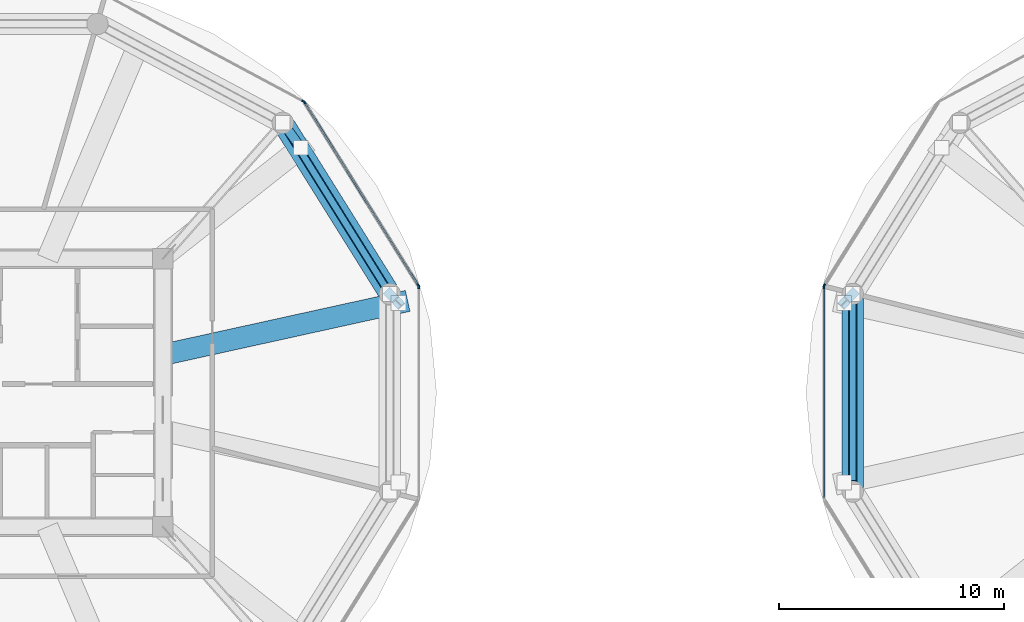
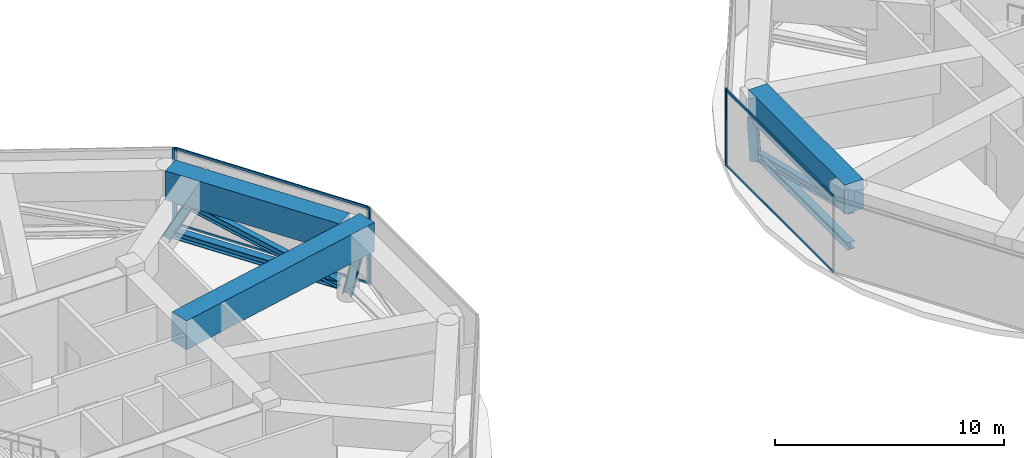
# One storey, part 7 of 22: 17 members, 3 beams, 5 elements without a shape of their own.
"""IFC4 building model written with IfcOpenShell, lengths in metres."""

from ifc_helpers import new_model, si_unit, direction, frame, origin, origin_2d, place, context, subcontext, project, spatial, rectangle, i_section, extrude, source, transform, mapped, material, layer, layer_set, material_profile, profile_set, type_object, type_shapes, element, aggregate, save


model = new_model("IFC4")

# Units and contexts
model_context = context("Model", 3, precision=1e-05, world=origin(), true_north=direction((0.0, 1.0)))
body_context = subcontext(model_context, "Body", "Model", "MODEL_VIEW")
ifc_project = project(units=[si_unit("LENGTHUNIT", "METRE"), si_unit("AREAUNIT", "SQUARE_METRE"), si_unit("VOLUMEUNIT", "CUBIC_METRE"), si_unit("PLANEANGLEUNIT", "RADIAN"), si_unit("MASSUNIT", "GRAM", prefix="KILO")], contexts=[model_context])

# Site, building, storey
site_placement = place(None, origin())
site = spatial("IfcSite", under=ifc_project, at=site_placement, CompositionType="ELEMENT")
building_placement = place(site_placement, origin())
building = spatial("IfcBuilding", under=site, at=building_placement, Name="Norrkilde Senior Care Towers", CompositionType="ELEMENT")
storey_placement = place(building_placement, frame((0.0, 0.0, 73.449951171875)))
storey = spatial("IfcBuildingStorey", under=building, at=storey_placement, Name="L22", CompositionType="ELEMENT", Elevation=73.449951171875)

# Beams
ifc_material_1 = material(Name="Concrete C60/75", Category="concrete")
ifc_material_profile_1 = material_profile(ifc_material_1, rectangle(XDim=0.949951171875, YDim=1.550048828125, at=origin_2d()), Name="RC TG 950x1550")
ifc_profile_set_1 = profile_set([ifc_material_profile_1], Name="Concrete C60/75")
beam_type = type_object("IfcBeamType", Name="Transfer Girder Zone Shift 950x1550", PredefinedType="USERDEFINED", material=ifc_profile_set_1)
shared_shape_1 = source(origin(), body_context, "Body", "SweptSolid", [
    extrude(rectangle(XDim=0.949951171875, YDim=1.550048828125, at=origin_2d()), origin(), (0.0, 0.0, 1.0), 8.6005859375),
])
beam_1_placement = place(storey_placement, frame((-10.37060546875, 4.53955078125, 3.304931640625), z_axis=(-0.53002700696, 0.847980761511, 0.0), x_axis=(-0.847980761511, -0.53002700696, 0.0)))
element("IfcBeam", 1, at=beam_1_placement, inside=storey, type_object=beam_type, Name="L22 Drum W Zone Ring Transfer Girder 01", ObjectType="GIRDER", PredefinedType="USERDEFINED", context=body_context, shape_type="MappedRepresentation", body=[
    mapped(shared_shape_1, transform((0.0, 0.0, 0.0), x_axis=(1.0, 0.0, 0.0), y_axis=(0.0, 1.0, 0.0), z_axis=(0.0, 0.0, 1.0), scale=1.0)),
])
shared_shape_2 = source(origin(), body_context, "Body", "SweptSolid", [
    extrude(rectangle(XDim=0.949951171875, YDim=1.550048828125, at=origin_2d()), origin(), (0.0, 0.0, 1.0), 8.4140625),
])
beam_2_placement = place(storey_placement, frame((10.275146484375, 4.20703125, 3.304931640625), z_axis=(0.0, -1.0, 0.0), x_axis=(1.0, 0.0, 0.0)))
element("IfcBeam", 2, at=beam_2_placement, inside=storey, type_object=beam_type, Name="L22 Drum E Zone Ring Transfer Girder 06", ObjectType="GIRDER", PredefinedType="USERDEFINED", context=body_context, shape_type="MappedRepresentation", body=[
    mapped(shared_shape_2, transform((0.0, 0.0, 0.0), x_axis=(1.0, 0.0, 0.0), y_axis=(0.0, 1.0, 0.0), z_axis=(0.0, 0.0, 1.0), scale=1.0)),
])
shared_shape_3 = source(origin(), body_context, "Body", "SweptSolid", [
    extrude(rectangle(XDim=0.949951171875, YDim=1.550048828125, at=origin_2d()), origin(), (0.0, 0.0, 1.0), 11.12939453125),
])
type_shapes(beam_type, [shared_shape_1, shared_shape_2, shared_shape_3])
beam_3_placement = place(storey_placement, frame((-20.35009765625, 1.683837890625, 3.304931640625), z_axis=(0.976618681418, 0.214978955029, 0.0), x_axis=(-0.214978955029, 0.976618681418, 0.0)))
element("IfcBeam", 3, at=beam_3_placement, inside=storey, type_object=beam_type, Name="L22 Drum W Zone Transfer Girder 01", ObjectType="GIRDER", PredefinedType="USERDEFINED", context=body_context, shape_type="MappedRepresentation", body=[
    mapped(shared_shape_3, transform((0.0, 0.0, 0.0), x_axis=(1.0, 0.0, 0.0), y_axis=(0.0, 1.0, 0.0), z_axis=(0.0, 0.0, 1.0), scale=1.0)),
])

# Members
ifc_material_2 = material(Name="Steel S355", Category="steel")
ifc_material_profile_2 = material_profile(ifc_material_2, i_section(OverallWidth=0.412109375, OverallDepth=0.449951171875, WebThickness=0.028076171875, FlangeThickness=0.044921875, FilletRadius=0.014892578125, at=origin_2d()), Name="HD 400x509")
ifc_profile_set_2 = profile_set([ifc_material_profile_2], Name="Steel S355")
member_type_1 = type_object("IfcMemberType", Name="Pratt Bridge Truss Diagonal HD400x509", PredefinedType="BRACE", material=ifc_profile_set_2)
shared_shape_4 = source(origin(), body_context, "Body", "SweptSolid", [
    extrude(i_section(OverallWidth=0.412109375, OverallDepth=0.449951171875, WebThickness=0.028076171875, FlangeThickness=0.044921875, FilletRadius=0.014892578125, at=origin_2d()), origin(), (0.0, 0.0, 1.0), 2.73681640625),
])
for number, where, z_axis, x_axis, name in (
    (4, (-10.275146484375, 4.386962890625, 0.150146484375), (0.140320627071, -0.146475823045, 0.979211394379), (0.722116345389, 0.691771626855, 0.0), "L22 Drum W Zone Transfer Raking Strut 01"),
    (5, (10.275146484375, 4.386962890625, 0.150146484375), (-0.140320627071, -0.146475823045, 0.979211394379), (0.722116345389, -0.691771626855, 0.0), "L22 Drum E Zone Transfer Raking Strut 06"),
):
    element("IfcMember", number, at=place(storey_placement, frame(where, z_axis=z_axis, x_axis=x_axis)), inside=storey, type_object=member_type_1, Name=name, PredefinedType="BRACE", context=body_context, shape_type="MappedRepresentation", body=[
        mapped(shared_shape_4, transform((0.0, 0.0, 0.0), x_axis=(1.0, 0.0, 0.0), y_axis=(0.0, 1.0, 0.0), z_axis=(0.0, 0.0, 1.0), scale=1.0)),
    ])
shared_shape_5 = source(origin(), body_context, "Body", "SweptSolid", [
    extrude(i_section(OverallWidth=0.412109375, OverallDepth=0.449951171875, WebThickness=0.028076171875, FlangeThickness=0.044921875, FilletRadius=0.014892578125, at=origin_2d()), origin(), (0.0, 0.0, 1.0), 3.0087890625),
])
type_shapes(member_type_1, [shared_shape_4, shared_shape_5])
member_1_placement = place(storey_placement, frame((-15.024658203125, 11.9853515625, 0.150146484375), z_axis=(0.266304591803, -0.368461045514, 0.890684187758), x_axis=(0.810476806317, 0.585770728547, 0.0)))
element("IfcMember", 6, at=member_1_placement, inside=storey, type_object=member_type_1, Name="L22 Drum W Zone Transfer Raking Strut 02", PredefinedType="BRACE", context=body_context, shape_type="MappedRepresentation", body=[
    mapped(shared_shape_5, transform((0.0, 0.0, 0.0), x_axis=(1.0, 0.0, 0.0), y_axis=(0.0, 1.0, 0.0), z_axis=(0.0, 0.0, 1.0), scale=1.0)),
])
ifc_material_profile_3 = material_profile(ifc_material_2, i_section(OverallWidth=0.3740234375, OverallDepth=0.386962890625, WebThickness=0.01611328125, FlangeThickness=0.027099609375, FilletRadius=0.014892578125, at=origin_2d()), Name="HD 360x262")
ifc_profile_set_3 = profile_set([ifc_material_profile_3], Name="Steel S355")
member_type_2 = type_object("IfcMemberType", Name="Belt Truss Ring Chord HD360x262", PredefinedType="CHORD", material=ifc_profile_set_3)
shared_shape_6 = source(origin(), body_context, "Body", "SweptSolid", [
    extrude(i_section(OverallWidth=0.3740234375, OverallDepth=0.386962890625, WebThickness=0.01611328125, FlangeThickness=0.027099609375, FilletRadius=0.014892578125, at=origin_2d()), origin(), (0.0, 0.0, 1.0), 8.090576171875),
])
member_2_placement = place(storey_placement, frame((-10.505859375, 4.755859375, 0.550048828125), z_axis=(-0.530004364821, 0.84799491347, 0.0), x_axis=(-0.84799491347, -0.530004364821, 0.0)))
element("IfcMember", 7, at=member_2_placement, inside=storey, type_object=member_type_2, Name="L22 Drum W Belt Truss Bottom Chord 01", PredefinedType="CHORD", context=body_context, shape_type="MappedRepresentation", body=[
    mapped(shared_shape_6, transform((0.0, 0.0, 0.0), x_axis=(1.0, 0.0, 0.0), y_axis=(0.0, 1.0, 0.0), z_axis=(0.0, 0.0, 1.0), scale=1.0)),
])
ifc_material_profile_4 = material_profile(ifc_material_2, i_section(OverallWidth=0.300048828125, OverallDepth=0.39990234375, WebThickness=0.013427734375, FlangeThickness=0.02392578125, FilletRadius=0.027099609375, at=origin_2d()), Name="HEB 400")
ifc_profile_set_4 = profile_set([ifc_material_profile_4], Name="Steel S355")
member_type_3 = type_object("IfcMemberType", Name="Belt Truss Diagonal HEB400", PredefinedType="BRACE", material=ifc_profile_set_4)
shared_shape_7 = source(origin(), body_context, "Body", "SweptSolid", [
    extrude(i_section(OverallWidth=0.300048828125, OverallDepth=0.39990234375, WebThickness=0.013427734375, FlangeThickness=0.02392578125, FilletRadius=0.027099609375, at=origin_2d()), origin(), (0.0, 0.0, 1.0), 8.317626953125),
])
member_3_placement = place(storey_placement, frame((-10.505859375, 4.755859375, 0.550048828125), z_axis=(-0.515540041994, 0.824852326355, 0.232028241401), x_axis=(-0.84799491347, -0.530004364821, 0.0)))
element("IfcMember", 8, at=member_3_placement, inside=storey, type_object=member_type_3, Name="L22 Drum W Belt Truss Diagonal 01", PredefinedType="BRACE", context=body_context, shape_type="MappedRepresentation", body=[
    mapped(shared_shape_7, transform((0.0, 0.0, 0.0), x_axis=(1.0, 0.0, 0.0), y_axis=(0.0, 1.0, 0.0), z_axis=(0.0, 0.0, 1.0), scale=1.0)),
])
shared_shape_8 = source(origin(), body_context, "Body", "SweptSolid", [
    extrude(i_section(OverallWidth=0.3740234375, OverallDepth=0.386962890625, WebThickness=0.01611328125, FlangeThickness=0.027099609375, FilletRadius=0.014892578125, at=origin_2d()), origin(), (0.0, 0.0, 1.0), 7.90380859375),
])
type_shapes(member_type_2, [shared_shape_6, shared_shape_8])
member_4_placement = place(storey_placement, frame((10.275146484375, 3.951904296875, 0.550048828125), z_axis=(0.0, -1.0, 0.0), x_axis=(1.0, 0.0, 0.0)))
element("IfcMember", 9, at=member_4_placement, inside=storey, type_object=member_type_2, Name="L22 Drum E Belt Truss Bottom Chord 06", PredefinedType="CHORD", context=body_context, shape_type="MappedRepresentation", body=[
    mapped(shared_shape_8, transform((0.0, 0.0, 0.0), x_axis=(1.0, 0.0, 0.0), y_axis=(0.0, 1.0, 0.0), z_axis=(0.0, 0.0, 1.0), scale=1.0)),
])
shared_shape_9 = source(origin(), body_context, "Body", "SweptSolid", [
    extrude(i_section(OverallWidth=0.300048828125, OverallDepth=0.39990234375, WebThickness=0.013427734375, FlangeThickness=0.02392578125, FilletRadius=0.027099609375, at=origin_2d()), origin(), (0.0, 0.0, 1.0), 8.135986328125),
])
type_shapes(member_type_3, [shared_shape_7, shared_shape_9])
member_5_placement = place(storey_placement, frame((10.275146484375, 3.951904296875, 0.550048828125), z_axis=(0.0, -0.971458808633, 0.237208311677), x_axis=(1.0, 0.0, 0.0)))
element("IfcMember", 10, at=member_5_placement, inside=storey, type_object=member_type_3, Name="L22 Drum E Belt Truss Diagonal 06", PredefinedType="BRACE", context=body_context, shape_type="MappedRepresentation", body=[
    mapped(shared_shape_9, transform((0.0, 0.0, 0.0), x_axis=(1.0, 0.0, 0.0), y_axis=(0.0, 1.0, 0.0), z_axis=(0.0, 0.0, 1.0), scale=1.0)),
])

# Curtain wall, members
ifc_material_3 = material(Name="Triple Low-E Insulated Glazing", Category="glass")
ifc_layer = layer(ifc_material_3, 0.18505859375)
ifc_layer_set = layer_set([ifc_layer], Name="Triple Low-E Insulated Glazing")
curtain_wall_type = type_object("IfcCurtainWallType", Name="CW6 Zone 4 Crown Pavilion Curtain Wall", PredefinedType="NOTDEFINED", material=ifc_layer_set)
curtain_wall_1_placement = place(storey_placement, origin())
curtain_wall_1 = element("IfcCurtainWall", 11, at=curtain_wall_1_placement, inside=storey, type_object=curtain_wall_type, Name="L22 Drum W Curtain Wall 00", PredefinedType="NOTDEFINED")
ifc_material_4 = material(Name="Anodised Aluminium", Category="aluminium")
ifc_material_profile_5 = material_profile(ifc_material_4, rectangle(XDim=0.070068359375, YDim=0.169921875, at=origin_2d()), Name="ALU MULL 70x170")
ifc_profile_set_5 = profile_set([ifc_material_profile_5], Name="Anodised Aluminium")
member_type_4 = type_object("IfcMemberType", Name="Curtain Wall Mullion Heavy 70x170", PredefinedType="MULLION", material=ifc_profile_set_5)
shared_shape_10 = source(origin(), body_context, "Body", "SweptSolid", [
    extrude(rectangle(XDim=0.070068359375, YDim=0.169921875, at=origin_2d()), origin(), (0.0, 0.0, 1.0), 4.080078125),
])
type_shapes(member_type_4, [shared_shape_10])
member_6_placement = place(storey_placement, frame((-14.065673828125, 12.896240234375, 0.0), z_axis=(0.0, 0.0, 1.0), x_axis=(0.849305943117, 0.527900951871, 0.0)))
member_6 = element("IfcMember", 12, at=member_6_placement, type_object=member_type_4, Name="CW-6 mullion 1", PredefinedType="MULLION", context=body_context, shape_type="MappedRepresentation", body=[
    mapped(shared_shape_10, transform((0.0, 0.0, 0.0), x_axis=(1.0, 0.0, 0.0), y_axis=(0.0, 1.0, 0.0), z_axis=(0.0, 0.0, 1.0), scale=1.0)),
])
member_7_placement = place(storey_placement, frame((-9.009033203125, 4.760986328125, 0.0), z_axis=(0.0, 0.0, 1.0), x_axis=(0.849305943117, 0.527900951871, 0.0)))
member_7 = element("IfcMember", 13, at=member_7_placement, type_object=member_type_4, Name="CW-6 mullion 2", PredefinedType="MULLION", context=body_context, shape_type="MappedRepresentation", body=[
    mapped(shared_shape_10, transform((0.0, 0.0, 0.0), x_axis=(1.0, 0.0, 0.0), y_axis=(0.0, 1.0, 0.0), z_axis=(0.0, 0.0, 1.0), scale=1.0)),
])

# Curtain wall, member
curtain_wall_2_placement = place(storey_placement, origin())
curtain_wall_2 = element("IfcCurtainWall", 14, at=curtain_wall_2_placement, inside=storey, type_object=curtain_wall_type, Name="L22 Drum W Curtain Wall 01", PredefinedType="NOTDEFINED")
member_8_placement = place(storey_placement, frame((-14.114990234375, 12.9423828125, 0.0), z_axis=(0.0, 0.0, 1.0), x_axis=(0.472607802456, 0.881272866403, 0.0)))
member_8 = element("IfcMember", 15, at=member_8_placement, type_object=member_type_4, Name="CW-6 mullion 2", PredefinedType="MULLION", context=body_context, shape_type="MappedRepresentation", body=[
    mapped(shared_shape_10, transform((0.0, 0.0, 0.0), x_axis=(1.0, 0.0, 0.0), y_axis=(0.0, 1.0, 0.0), z_axis=(0.0, 0.0, 1.0), scale=1.0)),
])
aggregate(curtain_wall_2, [member_8])

curtain_wall_3_placement = place(storey_placement, origin())
curtain_wall_3 = element("IfcCurtainWall", 16, at=curtain_wall_3_placement, inside=storey, type_object=curtain_wall_type, Name="L22 Drum W Curtain Wall 11", PredefinedType="NOTDEFINED")
member_9_placement = place(storey_placement, frame((-8.990478515625, 4.6962890625, 0.0), z_axis=(0.0, 0.0, 1.0), x_axis=(1.0, 0.0, 0.0)))
member_9 = element("IfcMember", 17, at=member_9_placement, type_object=member_type_4, Name="CW-6 mullion 1", PredefinedType="MULLION", context=body_context, shape_type="MappedRepresentation", body=[
    mapped(shared_shape_10, transform((0.0, 0.0, 0.0), x_axis=(1.0, 0.0, 0.0), y_axis=(0.0, 1.0, 0.0), z_axis=(0.0, 0.0, 1.0), scale=1.0)),
])
aggregate(curtain_wall_3, [member_9])

curtain_wall_4_placement = place(storey_placement, origin())
curtain_wall_4 = element("IfcCurtainWall", 18, at=curtain_wall_4_placement, inside=storey, type_object=curtain_wall_type, Name="L22 Drum E Curtain Wall 04", PredefinedType="NOTDEFINED")
member_10_placement = place(storey_placement, frame((9.009033203125, 4.760986328125, 0.0), z_axis=(0.0, 0.0, 1.0), x_axis=(-0.849305943117, 0.527900951871, 0.0)))
member_10 = element("IfcMember", 19, at=member_10_placement, type_object=member_type_4, Name="CW-6 mullion 1", PredefinedType="MULLION", context=body_context, shape_type="MappedRepresentation", body=[
    mapped(shared_shape_10, transform((0.0, 0.0, 0.0), x_axis=(1.0, 0.0, 0.0), y_axis=(0.0, 1.0, 0.0), z_axis=(0.0, 0.0, 1.0), scale=1.0)),
])
aggregate(curtain_wall_4, [member_10])

curtain_wall_5_placement = place(storey_placement, origin())
curtain_wall_5 = element("IfcCurtainWall", 20, at=curtain_wall_5_placement, inside=storey, type_object=curtain_wall_type, Name="L22 Drum E Curtain Wall 05", PredefinedType="NOTDEFINED")
member_11_placement = place(storey_placement, frame((8.990478515625, 4.6962890625, 0.0), z_axis=(0.0, 0.0, 1.0), x_axis=(-1.0, 0.0, 0.0)))
member_11 = element("IfcMember", 21, at=member_11_placement, type_object=member_type_4, Name="CW-6 mullion 2", PredefinedType="MULLION", context=body_context, shape_type="MappedRepresentation", body=[
    mapped(shared_shape_10, transform((0.0, 0.0, 0.0), x_axis=(1.0, 0.0, 0.0), y_axis=(0.0, 1.0, 0.0), z_axis=(0.0, 0.0, 1.0), scale=1.0)),
])

# Member
ifc_material_profile_6 = material_profile(ifc_material_4, rectangle(XDim=0.06494140625, YDim=0.1298828125, at=origin_2d()), Name="ALU TRAN 65x130")
ifc_profile_set_6 = profile_set([ifc_material_profile_6], Name="Anodised Aluminium")
member_type_5 = type_object("IfcMemberType", Name="Curtain Wall Transom Heavy 65x130", PredefinedType="USERDEFINED", material=ifc_profile_set_6)
shared_shape_11 = source(origin(), body_context, "Body", "SweptSolid", [
    extrude(rectangle(XDim=0.06494140625, YDim=0.1298828125, at=origin_2d()), origin(), (0.0, 0.0, 1.0), 9.508544921875),
])
member_12_placement = place(storey_placement, frame((-14.047119140625, 12.866455078125, 0.032470703125), z_axis=(0.527897081271, -0.849308348944, 0.0), x_axis=(0.849308348944, 0.527897081271, 0.0)))
member_12 = element("IfcMember", 22, at=member_12_placement, type_object=member_type_5, Name="CW-6 transom 1.1", ObjectType="TRANSOM", PredefinedType="USERDEFINED", context=body_context, shape_type="MappedRepresentation", body=[
    mapped(shared_shape_11, transform((0.0, 0.0, 0.0), x_axis=(1.0, 0.0, 0.0), y_axis=(0.0, 1.0, 0.0), z_axis=(0.0, 0.0, 1.0), scale=1.0)),
])

member_13_placement = place(storey_placement, frame((-14.047119140625, 12.866455078125, 4.047607421875), z_axis=(0.527897081271, -0.849308348944, 0.0), x_axis=(0.849308348944, 0.527897081271, 0.0)))
member_13 = element("IfcMember", 23, at=member_13_placement, type_object=member_type_5, Name="CW-6 transom 1.2", ObjectType="TRANSOM", PredefinedType="USERDEFINED", context=body_context, shape_type="MappedRepresentation", body=[
    mapped(shared_shape_11, transform((0.0, 0.0, 0.0), x_axis=(1.0, 0.0, 0.0), y_axis=(0.0, 1.0, 0.0), z_axis=(0.0, 0.0, 1.0), scale=1.0)),
])

aggregate(curtain_wall_1, [member_6, member_7, member_12, member_13])

shared_shape_12 = source(origin(), body_context, "Body", "SweptSolid", [
    extrude(rectangle(XDim=0.06494140625, YDim=0.1298828125, at=origin_2d()), origin(), (0.0, 0.0, 1.0), 9.322265625),
])
type_shapes(member_type_5, [shared_shape_11, shared_shape_12])
member_14_placement = place(storey_placement, frame((8.990478515625, -4.6611328125, 0.032470703125), z_axis=(0.0, 1.0, 0.0), x_axis=(-1.0, 0.0, 0.0)))
member_14 = element("IfcMember", 24, at=member_14_placement, type_object=member_type_5, Name="CW-6 transom 1.1", ObjectType="TRANSOM", PredefinedType="USERDEFINED", context=body_context, shape_type="MappedRepresentation", body=[
    mapped(shared_shape_12, transform((0.0, 0.0, 0.0), x_axis=(1.0, 0.0, 0.0), y_axis=(0.0, 1.0, 0.0), z_axis=(0.0, 0.0, 1.0), scale=1.0)),
])

member_15_placement = place(storey_placement, frame((8.990478515625, -4.6611328125, 4.047607421875), z_axis=(0.0, 1.0, 0.0), x_axis=(-1.0, 0.0, 0.0)))
member_15 = element("IfcMember", 25, at=member_15_placement, type_object=member_type_5, Name="CW-6 transom 1.2", ObjectType="TRANSOM", PredefinedType="USERDEFINED", context=body_context, shape_type="MappedRepresentation", body=[
    mapped(shared_shape_12, transform((0.0, 0.0, 0.0), x_axis=(1.0, 0.0, 0.0), y_axis=(0.0, 1.0, 0.0), z_axis=(0.0, 0.0, 1.0), scale=1.0)),
])

aggregate(curtain_wall_5, [member_11, member_14, member_15])

save(model, "model.ifc")
